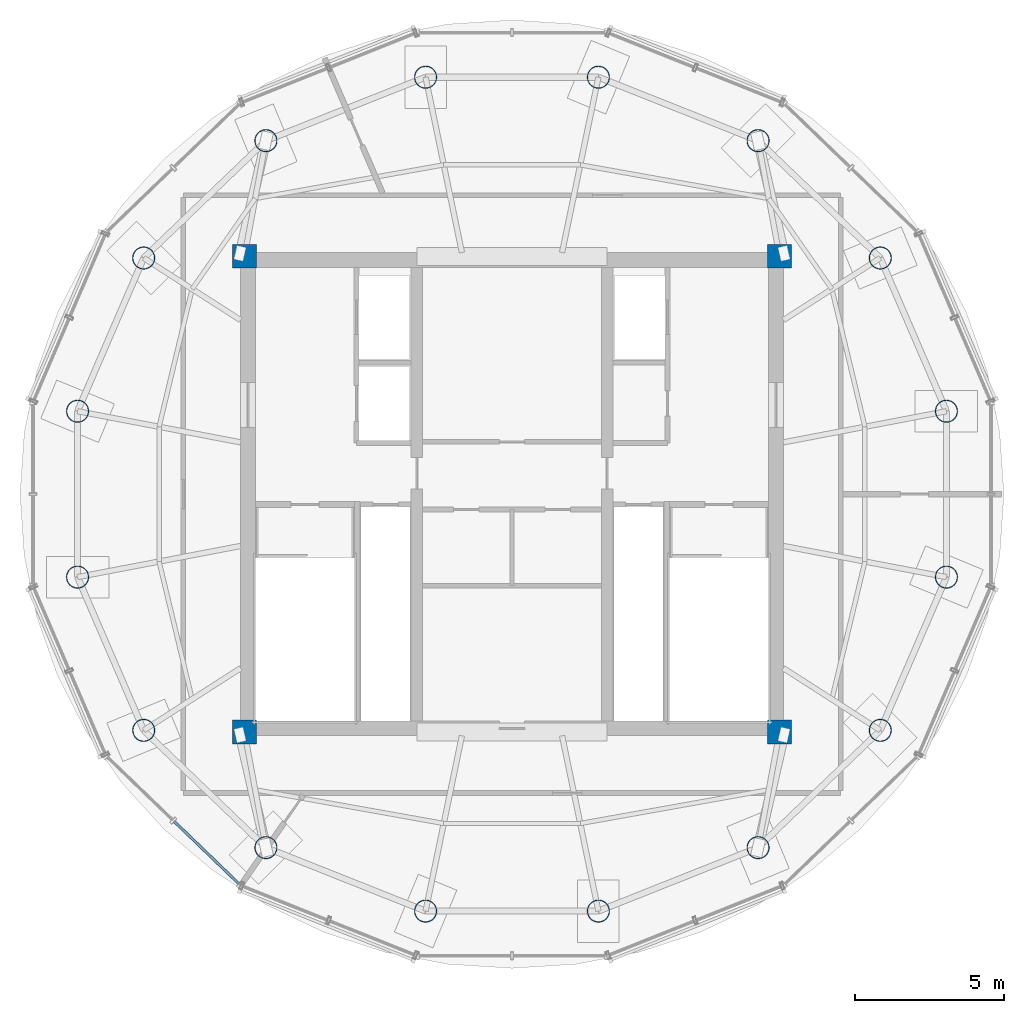
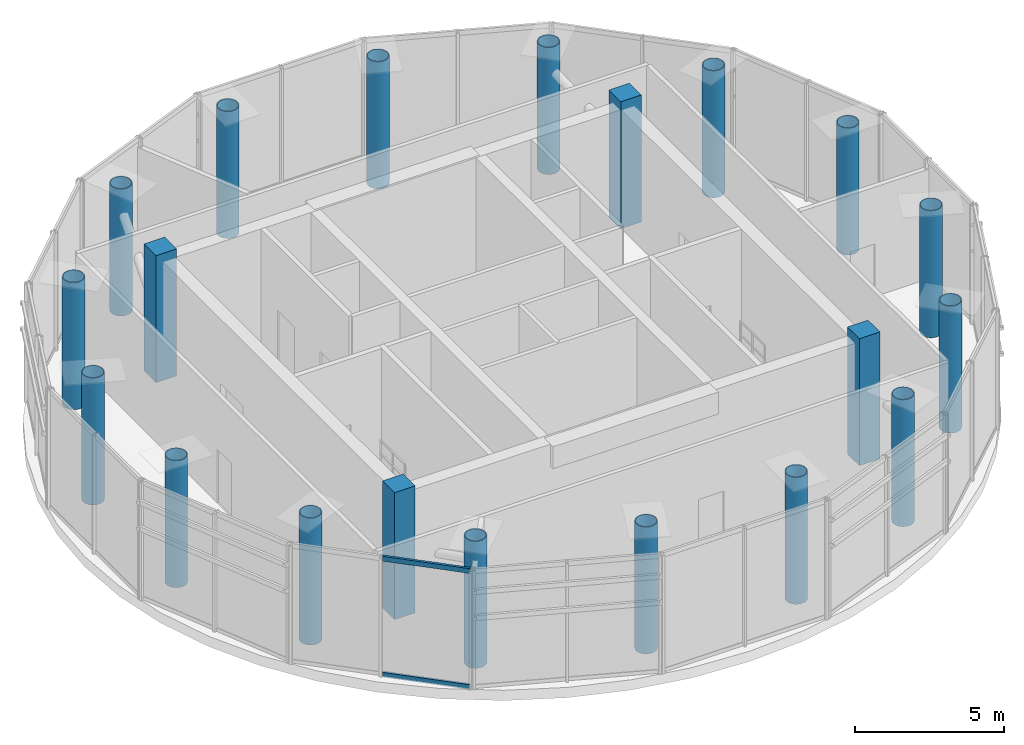
# One storey, part 1 of 13: 20 columns, 2 members, 1 element without a shape of its own.
"""IFC4 building model written with IfcOpenShell, lengths in metres."""

from ifc_helpers import new_model, si_unit, direction, frame, origin, origin_2d, place, context, subcontext, project, spatial, rectangle, hollow_rectangle, hollow_circle, extrude, source, transform, mapped, material, material_profile, profile_set, type_object, element, aggregate, save


model = new_model("IFC4")

# Units and contexts
model_context = context("Model", 3, precision=1e-05, world=origin(), true_north=direction((-0.2419218956, 0.970295726276)))
body_context = subcontext(model_context, "Body", "Model", "MODEL_VIEW")
ifc_project = project(units=[si_unit("LENGTHUNIT", "METRE"), si_unit("AREAUNIT", "SQUARE_METRE"), si_unit("VOLUMEUNIT", "CUBIC_METRE"), si_unit("PLANEANGLEUNIT", "RADIAN"), si_unit("MASSUNIT", "GRAM", prefix="KILO")], contexts=[model_context])

# Site, building, storey
site_placement = place(None, origin())
site = spatial("IfcSite", under=ifc_project, at=site_placement, CompositionType="ELEMENT")
building_placement = place(site_placement, origin())
building = spatial("IfcBuilding", under=site, at=building_placement, Name="Cobrevalo Terracotta Tower", CompositionType="ELEMENT")
storey_placement = place(building_placement, frame((0.0, 0.0, 332.10009765625)))
storey = spatial("IfcBuildingStorey", under=building, at=storey_placement, Name="L85", CompositionType="ELEMENT", Elevation=332.10009765625)

# Columns
ifc_material_1 = material(Name="Steel S355", Category="steel")
ifc_material_profile_1 = material_profile(ifc_material_1, hollow_circle(Radius=0.381103515625, WallThickness=0.028076171875, at=origin_2d()), Name="CHS 762x28")
ifc_profile_set_1 = profile_set([ifc_material_profile_1], Name="Steel S355")
column_type_1 = type_object("IfcColumnType", Name="Structural Column CHS 762x28 (Steel S355)", PredefinedType="COLUMN", material=ifc_profile_set_1)
for number, where, z_axis, x_axis, name in (
    (1, (52.61376953125, 29.58984375, 0.0), (0.0, 0.0, 1.0), (1.0, 0.0, 0.0), "L85 composite megacolumn MC01"),
    (2, (50.388916015625, 34.74462890625, 0.0), (0.0, 0.0, 1.0), (1.0, 0.0, 0.0), "L85 composite megacolumn MC02"),
    (3, (46.278076171875, 38.68994140625, 0.0), (0.0, 0.0, 1.0), (1.0, 0.0, 0.0), "L85 composite megacolumn MC03"),
    (4, (40.90673828125, 40.8251953125, 0.0), (0.0, 0.0, 1.0), (1.0, 0.0, 0.0), "L85 composite megacolumn MC04"),
    (5, (35.09326171875, 40.8251953125, 0.0), (0.0, 0.0, 1.0), (1.0, 0.0, 0.0), "L85 composite megacolumn MC05"),
    (6, (29.721923828125, 38.68994140625, 0.0), (0.0, 0.0, 1.0), (1.0, 0.0, 0.0), "L85 composite megacolumn MC06"),
    (7, (25.611083984375, 34.74462890625, 0.0), (0.0, 0.0, 1.0), (1.0, 0.0, 0.0), "L85 composite megacolumn MC07"),
    (8, (23.38623046875, 29.58984375, 0.0), (0.0, 0.0, 1.0), (1.0, 0.0, 0.0), "L85 composite megacolumn MC08"),
    (9, (23.38623046875, 24.01025390625, 0.0), (0.0, 0.0, 1.0), (1.0, 0.0, 0.0), "L85 composite megacolumn MC09"),
    (10, (25.611083984375, 18.855224609375, 0.0), (0.0, 0.0, 1.0), (1.0, 0.0, 0.0), "L85 composite megacolumn MC10"),
    (11, (29.721923828125, 14.909912109375, 0.0), (0.0, 0.0, 1.0), (1.0, 0.0, 0.0), "L85 composite megacolumn MC11"),
    (12, (35.09326171875, 12.774658203125, 0.0), (0.0, 0.0, 1.0), (1.0, 0.0, 0.0), "L85 composite megacolumn MC12"),
    (13, (40.90673828125, 12.774658203125, 0.0), (0.0, 0.0, 1.0), (1.0, 0.0, 0.0), "L85 composite megacolumn MC13"),
    (14, (46.278076171875, 14.909912109375, 0.0), (0.0, 0.0, 1.0), (1.0, 0.0, 0.0), "L85 composite megacolumn MC14"),
    (15, (50.388916015625, 18.855224609375, 0.0), (0.0, 0.0, 1.0), (1.0, 0.0, 0.0), "L85 composite megacolumn MC15"),
    (16, (52.61376953125, 24.01025390625, 0.0), (0.0, 0.0, 1.0), (1.0, 0.0, 0.0), "L85 composite megacolumn MC16"),
):
    element("IfcColumn", number, at=place(storey_placement, frame(where, z_axis=z_axis, x_axis=x_axis)), inside=storey, type_object=column_type_1, Name=name, PredefinedType="COLUMN", context=body_context, shape_type="SweptSolid", body=[
        extrude(hollow_circle(Radius=0.381103515625, WallThickness=0.028076171875, at=origin_2d()), origin(), (0.0, 0.0, 1.0), 5.199951171875),
    ])
ifc_material_2 = material(Name="Concrete C50", Category="concrete")
ifc_material_profile_2 = material_profile(ifc_material_2, rectangle(XDim=0.800048828125, YDim=0.800048828125, at=origin_2d()), Name="RC COL 800x800")
ifc_profile_set_2 = profile_set([ifc_material_profile_2], Name="Concrete C50")
column_type_2 = type_object("IfcColumnType", Name="Structural Column RC COL 800x800 (Concrete C50)", PredefinedType="COLUMN", material=ifc_profile_set_2)
for number, where, z_axis, x_axis, name in (
    (17, (29.0, 18.800048828125, 0.0), (0.0, 0.0, 1.0), (1.0, 0.0, 0.0), "L85 core corner column CC1"),
    (18, (47.0, 18.800048828125, 0.0), (0.0, 0.0, 1.0), (1.0, 0.0, 0.0), "L85 core corner column CC2"),
    (19, (47.0, 34.800048828125, 0.0), (0.0, 0.0, 1.0), (1.0, 0.0, 0.0), "L85 core corner column CC3"),
    (20, (29.0, 34.800048828125, 0.0), (0.0, 0.0, 1.0), (1.0, 0.0, 0.0), "L85 core corner column CC4"),
):
    element("IfcColumn", number, at=place(storey_placement, frame(where, z_axis=z_axis, x_axis=x_axis)), inside=storey, type_object=column_type_2, Name=name, PredefinedType="COLUMN", context=body_context, shape_type="SweptSolid", body=[
        extrude(rectangle(XDim=0.800048828125, YDim=0.800048828125, at=origin_2d()), origin(), (0.0, 0.0, 1.0), 5.199951171875),
    ])

# Curtain wall, members
ifc_material_3 = material(Name="Anodized aluminium", Category="aluminium")
curtain_wall_type = type_object("IfcCurtainWallType", Name="Faceted glass-point crown structural glazing system CW-CR", PredefinedType="NOTDEFINED", material=ifc_material_3)
curtain_wall_placement = place(storey_placement, origin())
curtain_wall = element("IfcCurtainWall", 21, at=curtain_wall_placement, inside=storey, type_object=curtain_wall_type, Name="L85 curtain wall CW-CRN-L85-S10", PredefinedType="NOTDEFINED")
ifc_material_profile_3 = material_profile(ifc_material_3, hollow_rectangle(XDim=0.090087890625, YDim=0.195068359375, WallThickness=0.005615234375, at=origin_2d()), Name="CWT 90x195")
ifc_profile_set_3 = profile_set([ifc_material_profile_3], Name="Anodized aluminium")
member_type = type_object("IfcMemberType", Name="Crown structural aluminium transom 90x195", PredefinedType="USERDEFINED", material=ifc_profile_set_3)
shared_shape = source(origin(), body_context, "Body", "SweptSolid", [
    extrude(hollow_rectangle(XDim=0.090087890625, YDim=0.195068359375, WallThickness=0.005615234375, at=origin_2d()), origin(), (0.0, 0.0, 1.0), 3.027587890625),
])
member_1_placement = place(storey_placement, frame((26.63427734375, 15.7939453125, 0.0498046875), z_axis=(0.720129171854, -0.693840021795, 0.0), x_axis=(0.693840021795, 0.720129171854, 0.0)))
member_1 = element("IfcMember", 22, at=member_1_placement, type_object=member_type, Name="CW-CRN-L85-S10 transom B02-T1", ObjectType="TRANSOM", PredefinedType="USERDEFINED", context=body_context, shape_type="MappedRepresentation", body=[
    mapped(shared_shape, transform((0.0, 0.0, 0.0), scale=1.0)),
])
member_2_placement = place(storey_placement, frame((26.63427734375, 15.7939453125, 4.7998046875), z_axis=(0.720129171854, -0.693840021795, 0.0), x_axis=(0.693840021795, 0.720129171854, 0.0)))
member_2 = element("IfcMember", 23, at=member_2_placement, type_object=member_type, Name="CW-CRN-L85-S10 transom B02-T2", ObjectType="TRANSOM", PredefinedType="USERDEFINED", context=body_context, shape_type="MappedRepresentation", body=[
    mapped(shared_shape, transform((0.0, 0.0, 0.0), scale=1.0)),
])
aggregate(curtain_wall, [member_1, member_2])

save(model, "model.ifc")
